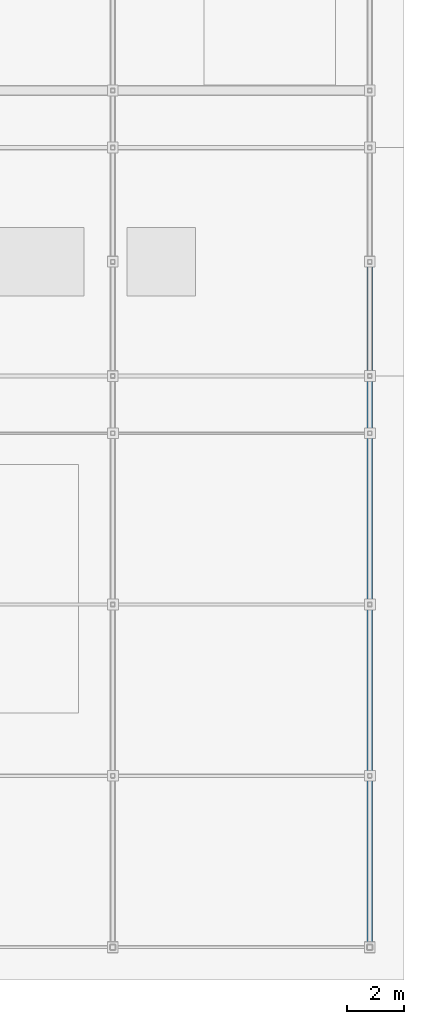
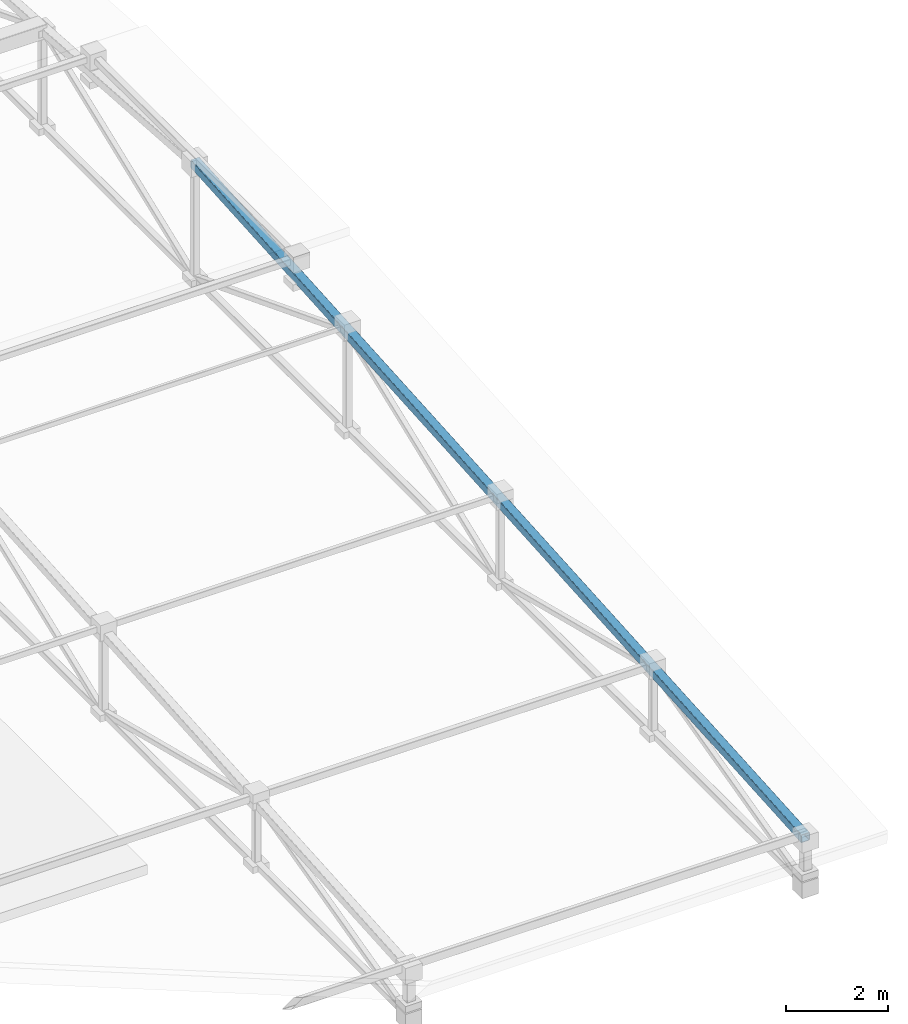
# One storey, part 22 of 85: 1 beam.
"""IFC4 building model written with IfcOpenShell, lengths in metres."""

from ifc_helpers import new_model, si_unit, direction, frame, origin, origin_2d, place, context, subcontext, project, spatial, hollow_rectangle, extrude, material, material_profile, profile_set, type_object, element, save


model = new_model("IFC4")

# Units and contexts
model_context = context("Model", 3, precision=1e-05, world=origin(), true_north=direction((0.0, 1.0)))
body_context = subcontext(model_context, "Body", "Model", "MODEL_VIEW")
ifc_project = project(units=[si_unit("LENGTHUNIT", "METRE"), si_unit("AREAUNIT", "SQUARE_METRE"), si_unit("VOLUMEUNIT", "CUBIC_METRE"), si_unit("PLANEANGLEUNIT", "RADIAN"), si_unit("MASSUNIT", "GRAM", prefix="KILO"), si_unit("THERMODYNAMICTEMPERATUREUNIT", "KELVIN"), si_unit("POWERUNIT", "WATT")], contexts=[model_context])

# Site, building, storey
site_placement = place(None, origin())
site = spatial("IfcSite", under=ifc_project, at=site_placement, CompositionType="ELEMENT")
building_placement = place(site_placement, origin())
building = spatial("IfcBuilding", under=site, at=building_placement, Name="Zelmaris Science Centre", CompositionType="ELEMENT")
storey_placement = place(building_placement, frame((0.0, 0.0, 20.39990234375)))
storey = spatial("IfcBuildingStorey", under=building, at=storey_placement, Name="L04", CompositionType="ELEMENT", Elevation=20.39990234375)

# Beam
ifc_material = material(Name="Steel ASTM A500 Grade C", Category="steel")
ifc_material_profile = material_profile(ifc_material, hollow_rectangle(XDim=0.203125, YDim=0.203125, WallThickness=0.01171875, InnerFilletRadius=0.01171875, OuterFilletRadius=0.023681640625, at=origin_2d()), Name="HSS203X203X13")
ifc_profile_set = profile_set([ifc_material_profile], Name="Steel ASTM A500 Grade C")
beam_type = type_object("IfcBeamType", Name="Beam G-20 HSS203X203X13", PredefinedType="BEAM", material=ifc_profile_set)
beam_placement = place(storey_placement, frame((135.0, 8.0, 2.0478515625), z_axis=(0.0, 0.997644646858, 0.068594158611), x_axis=(-1.0, 0.0, 0.0)))
element("IfcBeam", 1, at=beam_placement, inside=storey, type_object=beam_type, Name="RF-V4 Roof truss 4 south top chord", PredefinedType="BEAM", context=body_context, shape_type="SweptSolid", body=[
    extrude(hollow_rectangle(XDim=0.203125, YDim=0.203125, WallThickness=0.01171875, InnerFilletRadius=0.01171875, OuterFilletRadius=0.023681640625, at=origin_2d()), origin(), (0.0, 0.0, 1.0), 24.056640625),
])

save(model, "model.ifc")
